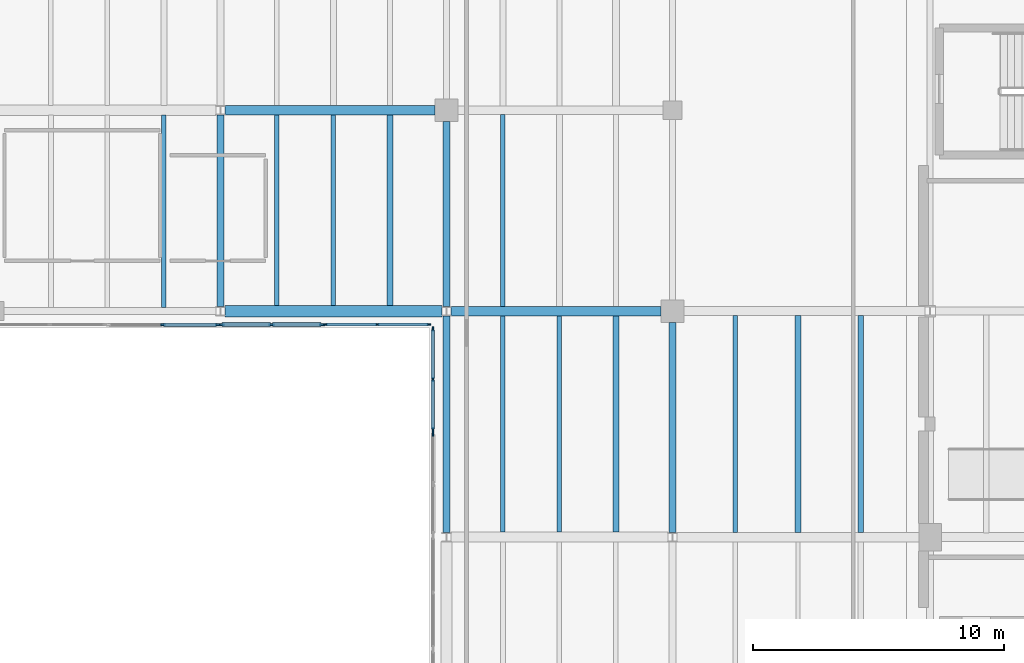
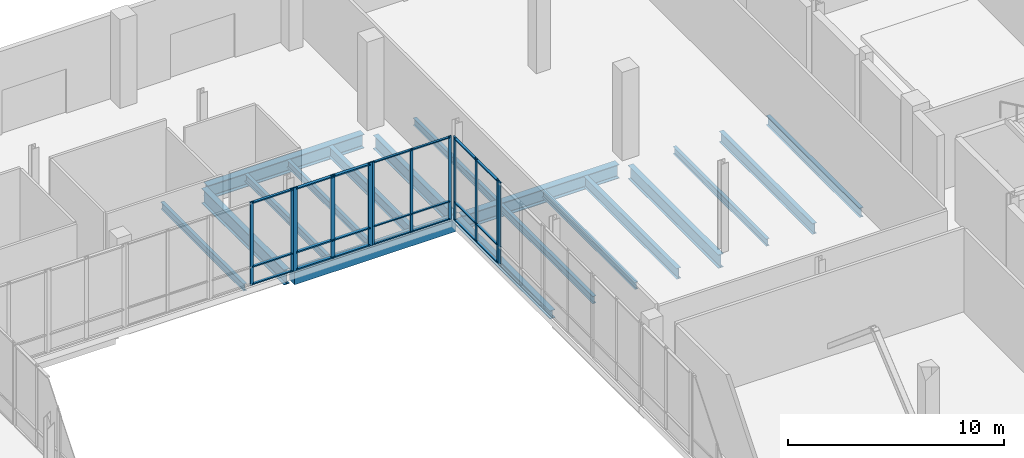
# One storey, part 42 of 88: 33 members, 18 beams, 5 elements without a shape of their own.
"""IFC4 building model written with IfcOpenShell, lengths in metres."""

from ifc_helpers import new_model, si_unit, direction, frame, origin, origin_2d, place, context, subcontext, project, spatial, rectangle, i_section, extrude, material, material_profile, profile_set, type_object, element, aggregate, save


model = new_model("IFC4")

# Units and contexts
model_context = context("Model", 3, precision=1e-05, world=origin(), true_north=direction((0.0, 1.0)))
body_context = subcontext(model_context, "Body", "Model", "MODEL_VIEW")
ifc_project = project(units=[si_unit("LENGTHUNIT", "METRE"), si_unit("AREAUNIT", "SQUARE_METRE"), si_unit("VOLUMEUNIT", "CUBIC_METRE"), si_unit("PLANEANGLEUNIT", "RADIAN"), si_unit("MASSUNIT", "GRAM", prefix="KILO")], contexts=[model_context])

# Site, building, storey
site_placement = place(None, origin())
site = spatial("IfcSite", under=ifc_project, at=site_placement, CompositionType="ELEMENT")
building_placement = place(site_placement, origin())
building = spatial("IfcBuilding", under=site, at=building_placement, Name="Trimount Lyric Opera House", CompositionType="ELEMENT")
storey_placement = place(building_placement, origin())
storey = spatial("IfcBuildingStorey", under=building, at=storey_placement, Name="L00", CompositionType="ELEMENT", Elevation=0.0)

# Beams
ifc_material_1 = material(Name="Steel ASTM A992 Grade 50", Category="steel")
ifc_material_profile_1 = material_profile(ifc_material_1, i_section(OverallWidth=0.2919921875, OverallDepth=0.845947265625, WebThickness=0.015380859375, FlangeThickness=0.0244140625, FilletRadius=0.01806640625, at=origin_2d()), Name="W33X141")
ifc_profile_set_1 = profile_set([ifc_material_profile_1], Name="Steel ASTM A992 Grade 50")
beam_type_1 = type_object("IfcBeamType", Name="B-05", PredefinedType="BEAM", material=ifc_profile_set_1)
beam_1_placement = place(storey_placement, frame((36.0, 102.177978515625, -0.77294921875), z_axis=(0.0, 1.0, 0.0), x_axis=(-1.0, 0.0, 0.0)))
element("IfcBeam", 1, at=beam_1_placement, inside=storey, type_object=beam_type_1, Name="L00 girder Y-0281", PredefinedType="BEAM", context=body_context, shape_type="SweptSolid", body=[
    extrude(i_section(OverallWidth=0.2919921875, OverallDepth=0.845947265625, WebThickness=0.015380859375, FlangeThickness=0.0244140625, FilletRadius=0.01806640625, at=origin_2d()), origin(), (0.0, 0.0, 1.0), 7.637939453125),
])
ifc_material_2 = material(Name="Steel ASTM A992 Grade 50", Category="steel")
ifc_material_profile_2 = material_profile(ifc_material_2, i_section(OverallWidth=0.382080078125, OverallDepth=0.779052734375, WebThickness=0.01806640625, FlangeThickness=0.0302734375, FilletRadius=0.01904296875, at=origin_2d()), Name="W30X191")
ifc_profile_set_2 = profile_set([ifc_material_profile_2], Name="Steel ASTM A992 Grade 50")
beam_type_2 = type_object("IfcBeamType", Name="B-06", PredefinedType="BEAM", material=ifc_profile_set_2)
for number, where, z_axis, x_axis, name in (
    (2, (45.1865234375, 102.0, -0.739501953125), (1.0, 0.0, 0.0), (0.0, 1.0, 0.0), "L00 girder X-0191"),
    (3, (36.1865234375, 110.0, -0.739501953125), (1.0, 0.0, 0.0), (0.0, 1.0, 0.0), "L00 girder X-0209"),
):
    element("IfcBeam", number, at=place(storey_placement, frame(where, z_axis=z_axis, x_axis=x_axis)), inside=storey, type_object=beam_type_2, Name=name, PredefinedType="BEAM", context=body_context, shape_type="SweptSolid", body=[
        extrude(i_section(OverallWidth=0.382080078125, OverallDepth=0.779052734375, WebThickness=0.01806640625, FlangeThickness=0.0302734375, FilletRadius=0.01904296875, at=origin_2d()), origin(), (0.0, 0.0, 1.0), 8.363525390625),
    ])
ifc_material_3 = material(Name="Steel ASTM A992 Grade 50", Category="steel")
ifc_material_profile_3 = material_profile(ifc_material_3, i_section(OverallWidth=0.26708984375, OverallDepth=0.761962890625, WebThickness=0.014404296875, FlangeThickness=0.021484375, FilletRadius=0.01708984375, at=origin_2d()), Name="W30X116")
ifc_profile_set_3 = profile_set([ifc_material_profile_3], Name="Steel ASTM A992 Grade 50")
beam_type_3 = type_object("IfcBeamType", Name="B-07", PredefinedType="BEAM", material=ifc_profile_set_3)
beam_2_placement = place(storey_placement, frame((45.0, 102.18408203125, -0.73095703125), z_axis=(0.0, 1.0, 0.0), x_axis=(-1.0, 0.0, 0.0)))
element("IfcBeam", 4, at=beam_2_placement, inside=storey, type_object=beam_type_3, Name="L00 girder Y-0294", PredefinedType="BEAM", context=body_context, shape_type="SweptSolid", body=[
    extrude(i_section(OverallWidth=0.26708984375, OverallDepth=0.761962890625, WebThickness=0.014404296875, FlangeThickness=0.021484375, FilletRadius=0.01708984375, at=origin_2d()), origin(), (0.0, 0.0, 1.0), 7.365966796875),
])
beam_3_placement = place(storey_placement, frame((54.0, 93.18408203125, -0.73095703125), z_axis=(0.0, 1.0, 0.0), x_axis=(-1.0, 0.0, 0.0)))
element("IfcBeam", 5, at=beam_3_placement, inside=storey, type_object=beam_type_3, Name="L00 girder Y-0306", PredefinedType="BEAM", context=body_context, shape_type="SweptSolid", body=[
    extrude(i_section(OverallWidth=0.26708984375, OverallDepth=0.761962890625, WebThickness=0.014404296875, FlangeThickness=0.021484375, FilletRadius=0.01708984375, at=origin_2d()), origin(), (0.0, 0.0, 1.0), 8.365966796875),
])
ifc_material_4 = material(Name="Steel ASTM A992 Grade 50", Category="steel")
ifc_material_profile_4 = material_profile(ifc_material_4, i_section(OverallWidth=0.22802734375, OverallDepth=0.60205078125, WebThickness=0.010498046875, FlangeThickness=0.014892578125, FilletRadius=0.012939453125, at=origin_2d()), Name="W24X68")
ifc_profile_set_4 = profile_set([ifc_material_profile_4], Name="Steel ASTM A992 Grade 50")
beam_type_4 = type_object("IfcBeamType", Name="J-01", PredefinedType="BEAM", material=ifc_profile_set_4)
beam_4_placement = place(storey_placement, frame((42.75, 102.220947265625, -0.65087890625), z_axis=(0.0, 1.0, 0.0), x_axis=(-1.0, 0.0, 0.0)))
element("IfcBeam", 6, at=beam_4_placement, inside=storey, type_object=beam_type_4, Name="L00 composite floor joist 0112", PredefinedType="BEAM", context=body_context, shape_type="SweptSolid", body=[
    extrude(i_section(OverallWidth=0.22802734375, OverallDepth=0.60205078125, WebThickness=0.010498046875, FlangeThickness=0.014892578125, FilletRadius=0.012939453125, at=origin_2d()), origin(), (0.0, 0.0, 1.0), 7.592041015625),
])
beam_5_placement = place(storey_placement, frame((51.75, 93.196533203125, -0.65087890625), z_axis=(0.0, 1.0, 0.0), x_axis=(-1.0, 0.0, 0.0)))
element("IfcBeam", 7, at=beam_5_placement, inside=storey, type_object=beam_type_4, Name="L00 composite floor joist 0147", PredefinedType="BEAM", context=body_context, shape_type="SweptSolid", body=[
    extrude(i_section(OverallWidth=0.22802734375, OverallDepth=0.60205078125, WebThickness=0.010498046875, FlangeThickness=0.014892578125, FilletRadius=0.012939453125, at=origin_2d()), origin(), (0.0, 0.0, 1.0), 8.616455078125),
])
beam_6_placement = place(storey_placement, frame((59.0, 93.18701171875, -0.65087890625), z_axis=(0.0, 1.0, 0.0), x_axis=(-1.0, 0.0, 0.0)))
element("IfcBeam", 8, at=beam_6_placement, inside=storey, type_object=beam_type_4, Name="L00 composite floor joist 0182", PredefinedType="BEAM", context=body_context, shape_type="SweptSolid", body=[
    extrude(i_section(OverallWidth=0.22802734375, OverallDepth=0.60205078125, WebThickness=0.010498046875, FlangeThickness=0.014892578125, FilletRadius=0.012939453125, at=origin_2d()), origin(), (0.0, 0.0, 1.0), 8.638916015625),
])
ifc_material_5 = material(Name="Steel ASTM A992 Grade 50", Category="steel")
ifc_material_profile_5 = material_profile(ifc_material_5, i_section(OverallWidth=0.2099609375, OverallDepth=0.532958984375, WebThickness=0.01025390625, FlangeThickness=0.015625, FilletRadius=0.012939453125, at=origin_2d()), Name="W21X62")
ifc_profile_set_5 = profile_set([ifc_material_profile_5], Name="Steel ASTM A992 Grade 50")
beam_type_5 = type_object("IfcBeamType", Name="J-02", PredefinedType="BEAM", material=ifc_profile_set_5)
beam_7_placement = place(storey_placement, frame((61.5, 93.18701171875, -0.616455078125), z_axis=(0.0, 1.0, 0.0), x_axis=(-1.0, 0.0, 0.0)))
element("IfcBeam", 9, at=beam_7_placement, inside=storey, type_object=beam_type_5, Name="L00 composite floor joist 0183", PredefinedType="BEAM", context=body_context, shape_type="SweptSolid", body=[
    extrude(i_section(OverallWidth=0.2099609375, OverallDepth=0.532958984375, WebThickness=0.01025390625, FlangeThickness=0.015625, FilletRadius=0.012939453125, at=origin_2d()), origin(), (0.0, 0.0, 1.0), 8.638916015625),
])
ifc_material_6 = material(Name="Steel ASTM A992 Grade 50", Category="steel")
ifc_material_profile_6 = material_profile(ifc_material_6, i_section(OverallWidth=0.180908203125, OverallDepth=0.4169921875, WebThickness=0.010986328125, FlangeThickness=0.018310546875, FilletRadius=0.010986328125, at=origin_2d()), Name="W16X57")
ifc_profile_set_6 = profile_set([ifc_material_profile_6], Name="Steel ASTM A992 Grade 50")
beam_type_6 = type_object("IfcBeamType", Name="J-05", PredefinedType="BEAM", material=ifc_profile_set_6)
beam_8_placement = place(storey_placement, frame((38.25, 102.220947265625, -0.55859375), z_axis=(0.0, 1.0, 0.0), x_axis=(-1.0, 0.0, 0.0)))
element("IfcBeam", 10, at=beam_8_placement, inside=storey, type_object=beam_type_6, Name="L00 composite floor joist 0110", PredefinedType="BEAM", context=body_context, shape_type="SweptSolid", body=[
    extrude(i_section(OverallWidth=0.180908203125, OverallDepth=0.4169921875, WebThickness=0.010986328125, FlangeThickness=0.018310546875, FilletRadius=0.010986328125, at=origin_2d()), origin(), (0.0, 0.0, 1.0), 7.592041015625),
])
beam_9_placement = place(storey_placement, frame((47.25, 93.196533203125, -0.55859375), z_axis=(0.0, 1.0, 0.0), x_axis=(-1.0, 0.0, 0.0)))
element("IfcBeam", 11, at=beam_9_placement, inside=storey, type_object=beam_type_6, Name="L00 composite floor joist 0145", PredefinedType="BEAM", context=body_context, shape_type="SweptSolid", body=[
    extrude(i_section(OverallWidth=0.180908203125, OverallDepth=0.4169921875, WebThickness=0.010986328125, FlangeThickness=0.018310546875, FilletRadius=0.010986328125, at=origin_2d()), origin(), (0.0, 0.0, 1.0), 8.616455078125),
])
ifc_material_7 = material(Name="Steel ASTM A992 Grade 50", Category="steel")
ifc_material_profile_7 = material_profile(ifc_material_7, i_section(OverallWidth=0.177978515625, OverallDepth=0.404052734375, WebThickness=0.007568359375, FlangeThickness=0.010986328125, FilletRadius=0.010009765625, at=origin_2d()), Name="W16X36")
ifc_profile_set_7 = profile_set([ifc_material_profile_7], Name="Steel ASTM A992 Grade 50")
beam_type_7 = type_object("IfcBeamType", Name="J-06", PredefinedType="BEAM", material=ifc_profile_set_7)
beam_10_placement = place(storey_placement, frame((33.75, 102.136962890625, -0.552001953125), z_axis=(0.0, 1.0, 0.0), x_axis=(-1.0, 0.0, 0.0)))
element("IfcBeam", 12, at=beam_10_placement, inside=storey, type_object=beam_type_7, Name="L00 composite floor joist 0094", PredefinedType="BEAM", context=body_context, shape_type="SweptSolid", body=[
    extrude(i_section(OverallWidth=0.177978515625, OverallDepth=0.404052734375, WebThickness=0.007568359375, FlangeThickness=0.010986328125, FilletRadius=0.010009765625, at=origin_2d()), origin(), (0.0, 0.0, 1.0), 7.66650390625),
])
beam_11_placement = place(storey_placement, frame((40.5, 102.220947265625, -0.552001953125), z_axis=(0.0, 1.0, 0.0), x_axis=(-1.0, 0.0, 0.0)))
element("IfcBeam", 13, at=beam_11_placement, inside=storey, type_object=beam_type_7, Name="L00 composite floor joist 0111", PredefinedType="BEAM", context=body_context, shape_type="SweptSolid", body=[
    extrude(i_section(OverallWidth=0.177978515625, OverallDepth=0.404052734375, WebThickness=0.007568359375, FlangeThickness=0.010986328125, FilletRadius=0.010009765625, at=origin_2d()), origin(), (0.0, 0.0, 1.0), 7.592041015625),
])
beam_12_placement = place(storey_placement, frame((49.5, 93.196533203125, -0.552001953125), z_axis=(0.0, 1.0, 0.0), x_axis=(-1.0, 0.0, 0.0)))
element("IfcBeam", 14, at=beam_12_placement, inside=storey, type_object=beam_type_7, Name="L00 composite floor joist 0146", PredefinedType="BEAM", context=body_context, shape_type="SweptSolid", body=[
    extrude(i_section(OverallWidth=0.177978515625, OverallDepth=0.404052734375, WebThickness=0.007568359375, FlangeThickness=0.010986328125, FilletRadius=0.010009765625, at=origin_2d()), origin(), (0.0, 0.0, 1.0), 8.616455078125),
])
beam_13_placement = place(storey_placement, frame((47.25, 102.18701171875, -0.552001953125), z_axis=(0.0, 1.0, 0.0), x_axis=(-1.0, 0.0, 0.0)))
element("IfcBeam", 15, at=beam_13_placement, inside=storey, type_object=beam_type_7, Name="L00 composite floor joist 0148", PredefinedType="BEAM", context=body_context, shape_type="SweptSolid", body=[
    extrude(i_section(OverallWidth=0.177978515625, OverallDepth=0.404052734375, WebThickness=0.007568359375, FlangeThickness=0.010986328125, FilletRadius=0.010009765625, at=origin_2d()), origin(), (0.0, 0.0, 1.0), 7.638916015625),
])
beam_14_placement = place(storey_placement, frame((56.5, 93.18701171875, -0.552001953125), z_axis=(0.0, 1.0, 0.0), x_axis=(-1.0, 0.0, 0.0)))
element("IfcBeam", 16, at=beam_14_placement, inside=storey, type_object=beam_type_7, Name="L00 composite floor joist 0181", PredefinedType="BEAM", context=body_context, shape_type="SweptSolid", body=[
    extrude(i_section(OverallWidth=0.177978515625, OverallDepth=0.404052734375, WebThickness=0.007568359375, FlangeThickness=0.010986328125, FilletRadius=0.010009765625, at=origin_2d()), origin(), (0.0, 0.0, 1.0), 8.638916015625),
])

# Curtain wall, member
ifc_material_8 = material(Name="Thermally Broken Aluminium and Low-E Glass", Category="aluminium")
curtain_wall_type = type_object("IfcCurtainWallType", Name="CW-03", PredefinedType="NOTDEFINED", material=ifc_material_8)
curtain_wall_1_placement = place(storey_placement, origin())
curtain_wall_1 = element("IfcCurtainWall", 17, at=curtain_wall_1_placement, inside=storey, type_object=curtain_wall_type, Name="L00 curtain wall 063", PredefinedType="NOTDEFINED")
ifc_material_9 = material(Name="Anodised Aluminium 6063-T6", Category="aluminium")
ifc_material_profile_8 = material_profile(ifc_material_9, rectangle(XDim=0.070068359375, YDim=0.219970703125, at=origin_2d()), Name="ALU-MULL-70X220")
ifc_profile_set_8 = profile_set([ifc_material_profile_8], Name="Anodised Aluminium 6063-T6")
member_type_1 = type_object("IfcMemberType", Name="ML-01", PredefinedType="MULLION", material=ifc_profile_set_8)
member_1_placement = place(storey_placement, frame((44.4599609375, 97.125, 0.0), z_axis=(0.0, 0.0, 1.0), x_axis=(-1.0, 0.0, 0.0)))
member_1 = element("IfcMember", 18, at=member_1_placement, type_object=member_type_1, Name="CW-03 mullion 3", PredefinedType="MULLION", context=body_context, shape_type="SweptSolid", body=[
    extrude(rectangle(XDim=0.070068359375, YDim=0.219970703125, at=origin_2d()), origin(), (0.0, 0.0, 1.0), 4.719970703125),
])
aggregate(curtain_wall_1, [member_1])

# Curtain wall, members
curtain_wall_2_placement = place(storey_placement, origin())
curtain_wall_2 = element("IfcCurtainWall", 19, at=curtain_wall_2_placement, inside=storey, type_object=curtain_wall_type, Name="L00 curtain wall 066", PredefinedType="NOTDEFINED")
member_2_placement = place(storey_placement, frame((40.034912109375, 101.4599609375, 0.0), z_axis=(0.0, 0.0, 1.0), x_axis=(0.0, -1.0, 0.0)))
member_2 = element("IfcMember", 20, at=member_2_placement, type_object=member_type_1, Name="CW-03 mullion 1", PredefinedType="MULLION", context=body_context, shape_type="SweptSolid", body=[
    extrude(rectangle(XDim=0.070068359375, YDim=0.219970703125, at=origin_2d()), origin(), (0.0, 0.0, 1.0), 4.719970703125),
])
member_3_placement = place(storey_placement, frame((38.034912109375, 101.4599609375, 0.0), z_axis=(0.0, 0.0, 1.0), x_axis=(0.0, -1.0, 0.0)))
member_3 = element("IfcMember", 21, at=member_3_placement, type_object=member_type_1, Name="CW-03 mullion 2", PredefinedType="MULLION", context=body_context, shape_type="SweptSolid", body=[
    extrude(rectangle(XDim=0.070068359375, YDim=0.219970703125, at=origin_2d()), origin(), (0.0, 0.0, 1.0), 4.719970703125),
])
member_4_placement = place(storey_placement, frame((36.034912109375, 101.4599609375, 0.0), z_axis=(0.0, 0.0, 1.0), x_axis=(0.0, -1.0, 0.0)))
member_4 = element("IfcMember", 22, at=member_4_placement, type_object=member_type_1, Name="CW-03 mullion 3", PredefinedType="MULLION", context=body_context, shape_type="SweptSolid", body=[
    extrude(rectangle(XDim=0.070068359375, YDim=0.219970703125, at=origin_2d()), origin(), (0.0, 0.0, 1.0), 4.719970703125),
])

curtain_wall_3_placement = place(storey_placement, origin())
curtain_wall_3 = element("IfcCurtainWall", 23, at=curtain_wall_3_placement, inside=storey, type_object=curtain_wall_type, Name="L00 curtain wall 064", PredefinedType="NOTDEFINED")
ifc_material_10 = material(Name="Anodised Aluminium 6063-T6", Category="aluminium")
ifc_material_profile_9 = material_profile(ifc_material_10, rectangle(XDim=0.06494140625, YDim=0.179931640625, at=origin_2d()), Name="ALU-MULL-65X180")
ifc_profile_set_9 = profile_set([ifc_material_profile_9], Name="Anodised Aluminium 6063-T6")
member_type_2 = type_object("IfcMemberType", Name="ML-02", PredefinedType="MULLION", material=ifc_profile_set_9)
member_5_placement = place(storey_placement, frame((44.4599609375, 97.282470703125, 0.0), z_axis=(0.0, 0.0, 1.0), x_axis=(-1.0, 0.0, 0.0)))
member_5 = element("IfcMember", 24, at=member_5_placement, type_object=member_type_2, Name="CW-03 mullion 1", PredefinedType="MULLION", context=body_context, shape_type="SweptSolid", body=[
    extrude(rectangle(XDim=0.06494140625, YDim=0.179931640625, at=origin_2d()), origin(), (0.0, 0.0, 1.0), 4.719970703125),
])
member_6_placement = place(storey_placement, frame((44.4599609375, 99.284912109375, 0.0), z_axis=(0.0, 0.0, 1.0), x_axis=(-1.0, 0.0, 0.0)))
member_6 = element("IfcMember", 25, at=member_6_placement, type_object=member_type_2, Name="CW-03 mullion 2", PredefinedType="MULLION", context=body_context, shape_type="SweptSolid", body=[
    extrude(rectangle(XDim=0.06494140625, YDim=0.179931640625, at=origin_2d()), origin(), (0.0, 0.0, 1.0), 4.719970703125),
])
member_7_placement = place(storey_placement, frame((44.4599609375, 101.28759765625, 0.0), z_axis=(0.0, 0.0, 1.0), x_axis=(-1.0, 0.0, 0.0)))
member_7 = element("IfcMember", 26, at=member_7_placement, type_object=member_type_2, Name="CW-03 mullion 3", PredefinedType="MULLION", context=body_context, shape_type="SweptSolid", body=[
    extrude(rectangle(XDim=0.06494140625, YDim=0.179931640625, at=origin_2d()), origin(), (0.0, 0.0, 1.0), 4.719970703125),
])

curtain_wall_4_placement = place(storey_placement, origin())
curtain_wall_4 = element("IfcCurtainWall", 27, at=curtain_wall_4_placement, inside=storey, type_object=curtain_wall_type, Name="L00 curtain wall 067", PredefinedType="NOTDEFINED")
member_8_placement = place(storey_placement, frame((35.87744140625, 101.4599609375, 0.0), z_axis=(0.0, 0.0, 1.0), x_axis=(0.0, -1.0, 0.0)))
member_8 = element("IfcMember", 28, at=member_8_placement, type_object=member_type_2, Name="CW-03 mullion 1", PredefinedType="MULLION", context=body_context, shape_type="SweptSolid", body=[
    extrude(rectangle(XDim=0.06494140625, YDim=0.179931640625, at=origin_2d()), origin(), (0.0, 0.0, 1.0), 4.719970703125),
])
member_9_placement = place(storey_placement, frame((33.705078125, 101.4599609375, 0.0), z_axis=(0.0, 0.0, 1.0), x_axis=(0.0, -1.0, 0.0)))
member_9 = element("IfcMember", 29, at=member_9_placement, type_object=member_type_2, Name="CW-03 mullion 2", PredefinedType="MULLION", context=body_context, shape_type="SweptSolid", body=[
    extrude(rectangle(XDim=0.06494140625, YDim=0.179931640625, at=origin_2d()), origin(), (0.0, 0.0, 1.0), 4.719970703125),
])

curtain_wall_5_placement = place(storey_placement, origin())
curtain_wall_5 = element("IfcCurtainWall", 30, at=curtain_wall_5_placement, inside=storey, type_object=curtain_wall_type, Name="L00 curtain wall 065", PredefinedType="NOTDEFINED")
ifc_material_11 = material(Name="Anodised Aluminium 6063-T6", Category="aluminium")
ifc_material_profile_10 = material_profile(ifc_material_11, rectangle(XDim=0.06005859375, YDim=0.14990234375, at=origin_2d()), Name="ALU-MULL-60X150")
ifc_profile_set_10 = profile_set([ifc_material_profile_10], Name="Anodised Aluminium 6063-T6")
member_type_3 = type_object("IfcMemberType", Name="ML-03", PredefinedType="MULLION", material=ifc_profile_set_10)
member_10_placement = place(storey_placement, frame((44.2900390625, 101.4599609375, 0.0), z_axis=(0.0, 0.0, 1.0), x_axis=(0.0, -1.0, 0.0)))
member_10 = element("IfcMember", 31, at=member_10_placement, type_object=member_type_3, Name="CW-03 mullion 1", PredefinedType="MULLION", context=body_context, shape_type="SweptSolid", body=[
    extrude(rectangle(XDim=0.06005859375, YDim=0.14990234375, at=origin_2d()), origin(), (0.0, 0.0, 1.0), 4.719970703125),
])
member_11_placement = place(storey_placement, frame((42.239990234375, 101.4599609375, 0.0), z_axis=(0.0, 0.0, 1.0), x_axis=(0.0, -1.0, 0.0)))
member_11 = element("IfcMember", 32, at=member_11_placement, type_object=member_type_3, Name="CW-03 mullion 2", PredefinedType="MULLION", context=body_context, shape_type="SweptSolid", body=[
    extrude(rectangle(XDim=0.06005859375, YDim=0.14990234375, at=origin_2d()), origin(), (0.0, 0.0, 1.0), 4.719970703125),
])
member_12_placement = place(storey_placement, frame((40.18994140625, 101.4599609375, 0.0), z_axis=(0.0, 0.0, 1.0), x_axis=(0.0, -1.0, 0.0)))
member_12 = element("IfcMember", 33, at=member_12_placement, type_object=member_type_3, Name="CW-03 mullion 3", PredefinedType="MULLION", context=body_context, shape_type="SweptSolid", body=[
    extrude(rectangle(XDim=0.06005859375, YDim=0.14990234375, at=origin_2d()), origin(), (0.0, 0.0, 1.0), 4.719970703125),
])

# Beams
ifc_material_12 = material(Name="Steel ASTM A992 Grade 50", Category="steel")
ifc_material_profile_11 = material_profile(ifc_material_12, i_section(OverallWidth=0.281982421875, OverallDepth=0.467041015625, WebThickness=0.01220703125, FlangeThickness=0.01953125, FilletRadius=0.012939453125, at=origin_2d()), Name="W18X86")
ifc_profile_set_11 = profile_set([ifc_material_profile_11], Name="Steel ASTM A992 Grade 50")
beam_type_8 = type_object("IfcBeamType", Name="SP-01", PredefinedType="SPANDREL", material=ifc_profile_set_11)
beam_15_placement = place(storey_placement, frame((45.0, 93.177978515625, -0.58349609375), z_axis=(0.0, 1.0, 0.0), x_axis=(-1.0, 0.0, 0.0)))
element("IfcBeam", 34, at=beam_15_placement, inside=storey, type_object=beam_type_8, Name="L00 girder Y-0293", PredefinedType="SPANDREL", context=body_context, shape_type="SweptSolid", body=[
    extrude(i_section(OverallWidth=0.281982421875, OverallDepth=0.467041015625, WebThickness=0.01220703125, FlangeThickness=0.01953125, FilletRadius=0.012939453125, at=origin_2d()), origin(), (0.0, 0.0, 1.0), 8.637939453125),
])
ifc_material_13 = material(Name="Concrete C40/50", Category="concrete")
ifc_material_profile_12 = material_profile(ifc_material_13, rectangle(XDim=0.449951171875, YDim=0.699951171875, at=origin_2d()), Name="RC450X700")
ifc_profile_set_12 = profile_set([ifc_material_profile_12], Name="Concrete C40/50")
beam_type_9 = type_object("IfcBeamType", Name="SP-02", PredefinedType="SPANDREL", material=ifc_profile_set_12)
beam_16_placement = place(storey_placement, frame((36.18408203125, 102.0, -0.699951171875), z_axis=(1.0, 0.0, 0.0), x_axis=(0.0, 1.0, 0.0)))
element("IfcBeam", 35, at=beam_16_placement, inside=storey, type_object=beam_type_9, Name="L00 girder X-0190", PredefinedType="SPANDREL", context=body_context, shape_type="SweptSolid", body=[
    extrude(rectangle(XDim=0.449951171875, YDim=0.699951171875, at=origin_2d()), origin(), (0.0, 0.0, 1.0), 8.62939453125),
])

# Member
ifc_material_14 = material(Name="Anodised Aluminium 6063-T6", Category="aluminium")
ifc_material_profile_13 = material_profile(ifc_material_14, rectangle(XDim=0.159912109375, YDim=0.070068359375, at=origin_2d()), Name="ALU-TRAN-70X160")
ifc_profile_set_13 = profile_set([ifc_material_profile_13], Name="Anodised Aluminium 6063-T6")
member_type_4 = type_object("IfcMemberType", Name="TR-01", PredefinedType="USERDEFINED", material=ifc_profile_set_13)
member_13_placement = place(storey_placement, frame((40.0, 101.4599609375, 0.080078125), z_axis=(-1.0, 0.0, 0.0), x_axis=(0.0, -1.0, 0.0)))
member_13 = element("IfcMember", 36, at=member_13_placement, type_object=member_type_4, Name="CW-03 transom 1.1", ObjectType="TRANSOM", PredefinedType="USERDEFINED", context=body_context, shape_type="SweptSolid", body=[
    extrude(rectangle(XDim=0.159912109375, YDim=0.070068359375, at=origin_2d()), origin(), (0.0, 0.0, 1.0), 1.929931640625),
])

member_14_placement = place(storey_placement, frame((40.0, 101.4599609375, 1.050048828125), z_axis=(-1.0, 0.0, 0.0), x_axis=(0.0, -1.0, 0.0)))
member_14 = element("IfcMember", 37, at=member_14_placement, type_object=member_type_4, Name="CW-03 transom 1.2", ObjectType="TRANSOM", PredefinedType="USERDEFINED", context=body_context, shape_type="SweptSolid", body=[
    extrude(rectangle(XDim=0.159912109375, YDim=0.070068359375, at=origin_2d()), origin(), (0.0, 0.0, 1.0), 1.929931640625),
])

member_15_placement = place(storey_placement, frame((40.0, 101.4599609375, 4.639892578125), z_axis=(-1.0, 0.0, 0.0), x_axis=(0.0, -1.0, 0.0)))
member_15 = element("IfcMember", 38, at=member_15_placement, type_object=member_type_4, Name="CW-03 transom 1.3", ObjectType="TRANSOM", PredefinedType="USERDEFINED", context=body_context, shape_type="SweptSolid", body=[
    extrude(rectangle(XDim=0.159912109375, YDim=0.070068359375, at=origin_2d()), origin(), (0.0, 0.0, 1.0), 1.929931640625),
])

member_16_placement = place(storey_placement, frame((38.0, 101.4599609375, 0.080078125), z_axis=(-1.0, 0.0, 0.0), x_axis=(0.0, -1.0, 0.0)))
member_16 = element("IfcMember", 39, at=member_16_placement, type_object=member_type_4, Name="CW-03 transom 2.1", ObjectType="TRANSOM", PredefinedType="USERDEFINED", context=body_context, shape_type="SweptSolid", body=[
    extrude(rectangle(XDim=0.159912109375, YDim=0.070068359375, at=origin_2d()), origin(), (0.0, 0.0, 1.0), 1.929931640625),
])

member_17_placement = place(storey_placement, frame((38.0, 101.4599609375, 1.050048828125), z_axis=(-1.0, 0.0, 0.0), x_axis=(0.0, -1.0, 0.0)))
member_17 = element("IfcMember", 40, at=member_17_placement, type_object=member_type_4, Name="CW-03 transom 2.2", ObjectType="TRANSOM", PredefinedType="USERDEFINED", context=body_context, shape_type="SweptSolid", body=[
    extrude(rectangle(XDim=0.159912109375, YDim=0.070068359375, at=origin_2d()), origin(), (0.0, 0.0, 1.0), 1.929931640625),
])

member_18_placement = place(storey_placement, frame((38.0, 101.4599609375, 4.639892578125), z_axis=(-1.0, 0.0, 0.0), x_axis=(0.0, -1.0, 0.0)))
member_18 = element("IfcMember", 41, at=member_18_placement, type_object=member_type_4, Name="CW-03 transom 2.3", ObjectType="TRANSOM", PredefinedType="USERDEFINED", context=body_context, shape_type="SweptSolid", body=[
    extrude(rectangle(XDim=0.159912109375, YDim=0.070068359375, at=origin_2d()), origin(), (0.0, 0.0, 1.0), 1.929931640625),
])

aggregate(curtain_wall_2, [member_2, member_3, member_4, member_13, member_14, member_15, member_16, member_17, member_18])

ifc_material_15 = material(Name="Anodised Aluminium 6063-T6", Category="aluminium")
ifc_material_profile_14 = material_profile(ifc_material_15, rectangle(XDim=0.135009765625, YDim=0.06494140625, at=origin_2d()), Name="ALU-TRAN-65X135")
ifc_profile_set_14 = profile_set([ifc_material_profile_14], Name="Anodised Aluminium 6063-T6")
member_type_5 = type_object("IfcMemberType", Name="TR-02", PredefinedType="USERDEFINED", material=ifc_profile_set_14)
member_19_placement = place(storey_placement, frame((44.4599609375, 97.31494140625, 0.0673828125), z_axis=(0.0, 1.0, 0.0), x_axis=(-1.0, 0.0, 0.0)))
member_19 = element("IfcMember", 42, at=member_19_placement, type_object=member_type_5, Name="CW-03 transom 1.1", ObjectType="TRANSOM", PredefinedType="USERDEFINED", context=body_context, shape_type="SweptSolid", body=[
    extrude(rectangle(XDim=0.135009765625, YDim=0.06494140625, at=origin_2d()), origin(), (0.0, 0.0, 1.0), 1.9375),
])

member_20_placement = place(storey_placement, frame((44.4599609375, 97.31494140625, 1.050048828125), z_axis=(0.0, 1.0, 0.0), x_axis=(-1.0, 0.0, 0.0)))
member_20 = element("IfcMember", 43, at=member_20_placement, type_object=member_type_5, Name="CW-03 transom 1.2", ObjectType="TRANSOM", PredefinedType="USERDEFINED", context=body_context, shape_type="SweptSolid", body=[
    extrude(rectangle(XDim=0.135009765625, YDim=0.06494140625, at=origin_2d()), origin(), (0.0, 0.0, 1.0), 1.9375),
])

member_21_placement = place(storey_placement, frame((44.4599609375, 97.31494140625, 4.652587890625), z_axis=(0.0, 1.0, 0.0), x_axis=(-1.0, 0.0, 0.0)))
member_21 = element("IfcMember", 44, at=member_21_placement, type_object=member_type_5, Name="CW-03 transom 1.3", ObjectType="TRANSOM", PredefinedType="USERDEFINED", context=body_context, shape_type="SweptSolid", body=[
    extrude(rectangle(XDim=0.135009765625, YDim=0.06494140625, at=origin_2d()), origin(), (0.0, 0.0, 1.0), 1.9375),
])

member_22_placement = place(storey_placement, frame((44.4599609375, 99.3173828125, 0.0673828125), z_axis=(0.0, 1.0, 0.0), x_axis=(-1.0, 0.0, 0.0)))
member_22 = element("IfcMember", 45, at=member_22_placement, type_object=member_type_5, Name="CW-03 transom 2.1", ObjectType="TRANSOM", PredefinedType="USERDEFINED", context=body_context, shape_type="SweptSolid", body=[
    extrude(rectangle(XDim=0.135009765625, YDim=0.06494140625, at=origin_2d()), origin(), (0.0, 0.0, 1.0), 1.9375),
])

member_23_placement = place(storey_placement, frame((44.4599609375, 99.3173828125, 1.050048828125), z_axis=(0.0, 1.0, 0.0), x_axis=(-1.0, 0.0, 0.0)))
member_23 = element("IfcMember", 46, at=member_23_placement, type_object=member_type_5, Name="CW-03 transom 2.2", ObjectType="TRANSOM", PredefinedType="USERDEFINED", context=body_context, shape_type="SweptSolid", body=[
    extrude(rectangle(XDim=0.135009765625, YDim=0.06494140625, at=origin_2d()), origin(), (0.0, 0.0, 1.0), 1.9375),
])

member_24_placement = place(storey_placement, frame((44.4599609375, 99.3173828125, 4.652587890625), z_axis=(0.0, 1.0, 0.0), x_axis=(-1.0, 0.0, 0.0)))
member_24 = element("IfcMember", 47, at=member_24_placement, type_object=member_type_5, Name="CW-03 transom 2.3", ObjectType="TRANSOM", PredefinedType="USERDEFINED", context=body_context, shape_type="SweptSolid", body=[
    extrude(rectangle(XDim=0.135009765625, YDim=0.06494140625, at=origin_2d()), origin(), (0.0, 0.0, 1.0), 1.9375),
])

aggregate(curtain_wall_3, [member_5, member_6, member_7, member_19, member_20, member_21, member_22, member_23, member_24])

member_25_placement = place(storey_placement, frame((35.844970703125, 101.4599609375, 0.0673828125), z_axis=(-1.0, 0.0, 0.0), x_axis=(0.0, -1.0, 0.0)))
member_25 = element("IfcMember", 48, at=member_25_placement, type_object=member_type_5, Name="CW-03 transom 1.1", ObjectType="TRANSOM", PredefinedType="USERDEFINED", context=body_context, shape_type="SweptSolid", body=[
    extrude(rectangle(XDim=0.135009765625, YDim=0.06494140625, at=origin_2d()), origin(), (0.0, 0.0, 1.0), 2.107421875),
])

member_26_placement = place(storey_placement, frame((35.844970703125, 101.4599609375, 1.050048828125), z_axis=(-1.0, 0.0, 0.0), x_axis=(0.0, -1.0, 0.0)))
member_26 = element("IfcMember", 49, at=member_26_placement, type_object=member_type_5, Name="CW-03 transom 1.2", ObjectType="TRANSOM", PredefinedType="USERDEFINED", context=body_context, shape_type="SweptSolid", body=[
    extrude(rectangle(XDim=0.135009765625, YDim=0.06494140625, at=origin_2d()), origin(), (0.0, 0.0, 1.0), 2.107421875),
])

member_27_placement = place(storey_placement, frame((35.844970703125, 101.4599609375, 4.652587890625), z_axis=(-1.0, 0.0, 0.0), x_axis=(0.0, -1.0, 0.0)))
member_27 = element("IfcMember", 50, at=member_27_placement, type_object=member_type_5, Name="CW-03 transom 1.3", ObjectType="TRANSOM", PredefinedType="USERDEFINED", context=body_context, shape_type="SweptSolid", body=[
    extrude(rectangle(XDim=0.135009765625, YDim=0.06494140625, at=origin_2d()), origin(), (0.0, 0.0, 1.0), 2.107421875),
])

aggregate(curtain_wall_4, [member_8, member_9, member_25, member_26, member_27])

ifc_material_16 = material(Name="Anodised Aluminium 6063-T6", Category="aluminium")
ifc_material_profile_15 = material_profile(ifc_material_16, rectangle(XDim=0.114990234375, YDim=0.06005859375, at=origin_2d()), Name="ALU-TRAN-60X115")
ifc_profile_set_15 = profile_set([ifc_material_profile_15], Name="Anodised Aluminium 6063-T6")
member_type_6 = type_object("IfcMemberType", Name="TR-03", PredefinedType="USERDEFINED", material=ifc_profile_set_15)
member_28_placement = place(storey_placement, frame((44.260009765625, 101.4599609375, 0.0576171875), z_axis=(-1.0, 0.0, 0.0), x_axis=(0.0, -1.0, 0.0)))
member_28 = element("IfcMember", 51, at=member_28_placement, type_object=member_type_6, Name="CW-03 transom 1.1", ObjectType="TRANSOM", PredefinedType="USERDEFINED", context=body_context, shape_type="SweptSolid", body=[
    extrude(rectangle(XDim=0.114990234375, YDim=0.06005859375, at=origin_2d()), origin(), (0.0, 0.0, 1.0), 1.989990234375),
])

member_29_placement = place(storey_placement, frame((44.260009765625, 101.4599609375, 1.050048828125), z_axis=(-1.0, 0.0, 0.0), x_axis=(0.0, -1.0, 0.0)))
member_29 = element("IfcMember", 52, at=member_29_placement, type_object=member_type_6, Name="CW-03 transom 1.2", ObjectType="TRANSOM", PredefinedType="USERDEFINED", context=body_context, shape_type="SweptSolid", body=[
    extrude(rectangle(XDim=0.114990234375, YDim=0.06005859375, at=origin_2d()), origin(), (0.0, 0.0, 1.0), 1.989990234375),
])

member_30_placement = place(storey_placement, frame((44.260009765625, 101.4599609375, 4.66259765625), z_axis=(-1.0, 0.0, 0.0), x_axis=(0.0, -1.0, 0.0)))
member_30 = element("IfcMember", 53, at=member_30_placement, type_object=member_type_6, Name="CW-03 transom 1.3", ObjectType="TRANSOM", PredefinedType="USERDEFINED", context=body_context, shape_type="SweptSolid", body=[
    extrude(rectangle(XDim=0.114990234375, YDim=0.06005859375, at=origin_2d()), origin(), (0.0, 0.0, 1.0), 1.989990234375),
])

member_31_placement = place(storey_placement, frame((42.2099609375, 101.4599609375, 0.0576171875), z_axis=(-1.0, 0.0, 0.0), x_axis=(0.0, -1.0, 0.0)))
member_31 = element("IfcMember", 54, at=member_31_placement, type_object=member_type_6, Name="CW-03 transom 2.1", ObjectType="TRANSOM", PredefinedType="USERDEFINED", context=body_context, shape_type="SweptSolid", body=[
    extrude(rectangle(XDim=0.114990234375, YDim=0.06005859375, at=origin_2d()), origin(), (0.0, 0.0, 1.0), 1.989990234375),
])

member_32_placement = place(storey_placement, frame((42.2099609375, 101.4599609375, 1.050048828125), z_axis=(-1.0, 0.0, 0.0), x_axis=(0.0, -1.0, 0.0)))
member_32 = element("IfcMember", 55, at=member_32_placement, type_object=member_type_6, Name="CW-03 transom 2.2", ObjectType="TRANSOM", PredefinedType="USERDEFINED", context=body_context, shape_type="SweptSolid", body=[
    extrude(rectangle(XDim=0.114990234375, YDim=0.06005859375, at=origin_2d()), origin(), (0.0, 0.0, 1.0), 1.989990234375),
])

member_33_placement = place(storey_placement, frame((42.2099609375, 101.4599609375, 4.66259765625), z_axis=(-1.0, 0.0, 0.0), x_axis=(0.0, -1.0, 0.0)))
member_33 = element("IfcMember", 56, at=member_33_placement, type_object=member_type_6, Name="CW-03 transom 2.3", ObjectType="TRANSOM", PredefinedType="USERDEFINED", context=body_context, shape_type="SweptSolid", body=[
    extrude(rectangle(XDim=0.114990234375, YDim=0.06005859375, at=origin_2d()), origin(), (0.0, 0.0, 1.0), 1.989990234375),
])

aggregate(curtain_wall_5, [member_10, member_11, member_12, member_28, member_29, member_30, member_31, member_32, member_33])

save(model, "model.ifc")
